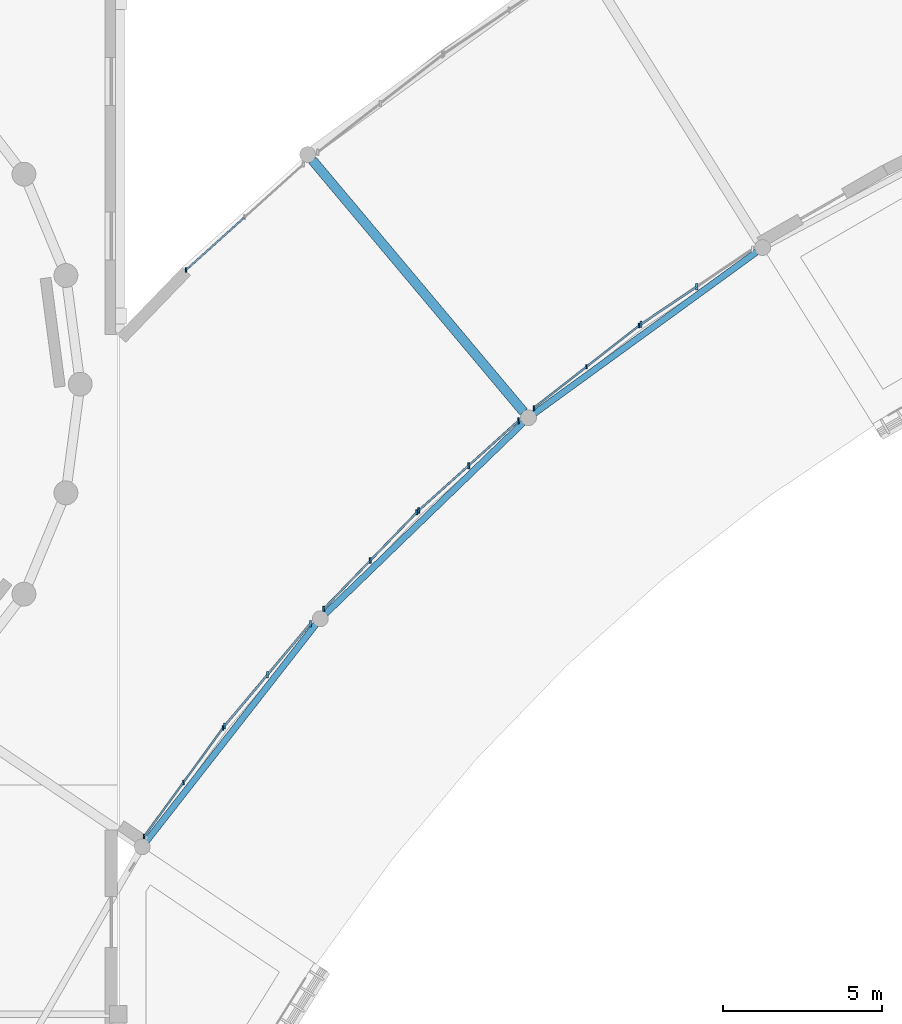
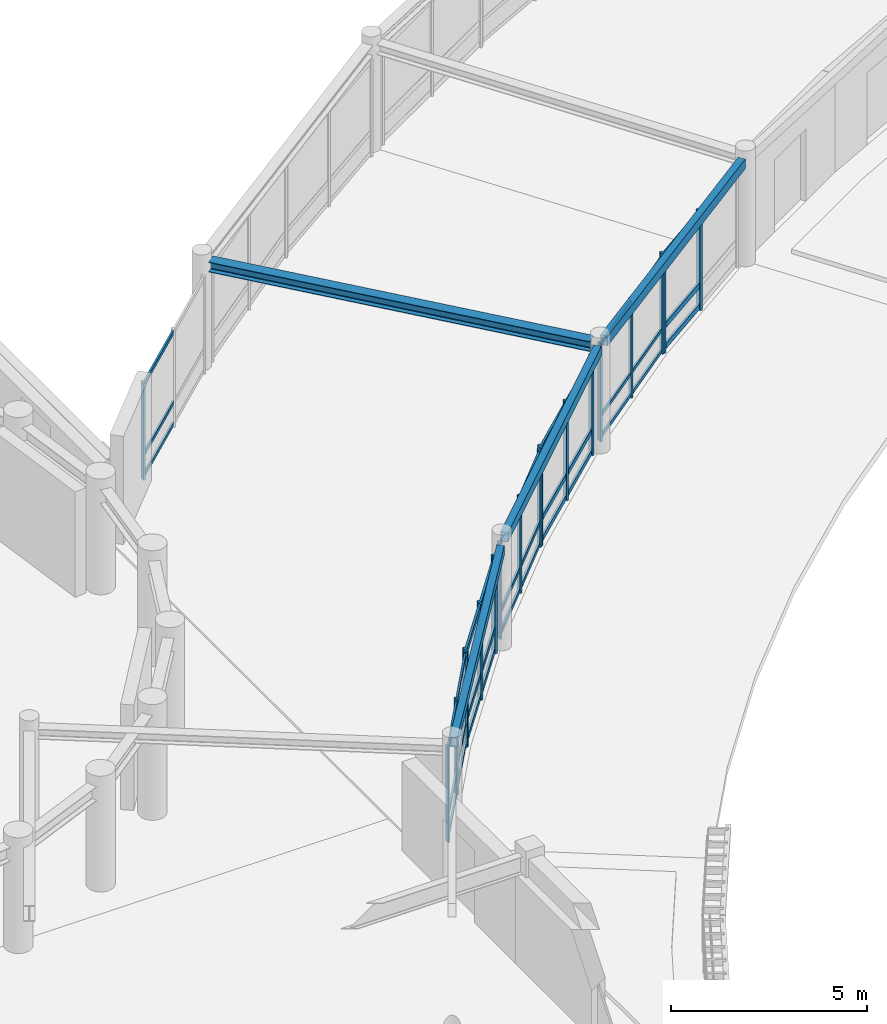
# One storey, part 16 of 74: 54 members, 4 beams, 7 elements without a shape of their own.
"""IFC4 building model written with IfcOpenShell, lengths in metres."""

from ifc_helpers import new_model, si_unit, direction, frame, origin, origin_2d, place, context, subcontext, project, spatial, rectangle, hollow_rectangle, i_section, extrude, material, material_profile, profile_set, type_object, element, aggregate, save


model = new_model("IFC4")

# Units and contexts
model_context = context("Model", 3, precision=1e-05, world=origin(), true_north=direction((0.0, 1.0)))
body_context = subcontext(model_context, "Body", "Model", "MODEL_VIEW")
ifc_project = project(units=[si_unit("LENGTHUNIT", "METRE"), si_unit("AREAUNIT", "SQUARE_METRE"), si_unit("VOLUMEUNIT", "CUBIC_METRE"), si_unit("PLANEANGLEUNIT", "RADIAN"), si_unit("MASSUNIT", "GRAM", prefix="KILO")], contexts=[model_context])

# Site, building, storey
site_placement = place(None, origin())
site = spatial("IfcSite", under=ifc_project, at=site_placement, CompositionType="ELEMENT")
building_placement = place(site_placement, origin())
building = spatial("IfcBuilding", under=site, at=building_placement, Name="Clarverna Civic Hall", CompositionType="ELEMENT")
storey_placement = place(building_placement, frame((0.0, 0.0, 9.60009765625)))
storey = spatial("IfcBuildingStorey", under=building, at=storey_placement, Name="L02", CompositionType="ELEMENT", Elevation=9.60009765625)

# Beams
ifc_material_1 = material(Name="Steel S355", Category="steel")
ifc_material_profile_1 = material_profile(ifc_material_1, hollow_rectangle(XDim=0.199951171875, YDim=0.300048828125, WallThickness=0.010009765625, at=origin_2d()), Name="RHS 300x200x10.0")
ifc_profile_set_1 = profile_set([ifc_material_profile_1], Name="Steel S355")
beam_type_1 = type_object("IfcBeamType", Name="B-ST15", PredefinedType="SPANDREL", material=ifc_profile_set_1)
beam_1_placement = place(storey_placement, frame((117.25927734375, 63.154541015625, 3.2099609375), z_axis=(-0.809029708235, -0.587767752768, 0.0), x_axis=(0.587767752768, -0.809029708235, 0.0)))
element("IfcBeam", 1, at=beam_1_placement, inside=storey, type_object=beam_type_1, Name="B-ST15-022", PredefinedType="SPANDREL", context=body_context, shape_type="SweptSolid", body=[
    extrude(hollow_rectangle(XDim=0.199951171875, YDim=0.300048828125, WallThickness=0.010009765625, at=origin_2d()), origin(), (0.0, 0.0, 1.0), 8.62646484375),
])
for number, where, z_axis, x_axis, name in (
    (2, (109.921142578125, 57.782958984375, 3.2099609375), (-0.719324892672, -0.694673807469, 0.0), (0.694673807469, -0.719324892672, 0.0), "B-ST15-023"),
    (3, (103.40234375, 51.442138671875, 3.1298828125), (-0.61565557557, -0.788015362966, 0.0), (0.788015362966, -0.61565557557, 0.0), "B-ST15-024"),
):
    element("IfcBeam", number, at=place(storey_placement, frame(where, z_axis=z_axis, x_axis=x_axis)), inside=storey, type_object=beam_type_1, Name=name, PredefinedType="SPANDREL", context=body_context, shape_type="SweptSolid", body=[
        extrude(hollow_rectangle(XDim=0.199951171875, YDim=0.300048828125, WallThickness=0.010009765625, at=origin_2d()), origin(), (0.0, 0.0, 1.0), 8.626220703125),
    ])
ifc_material_profile_2 = material_profile(ifc_material_1, i_section(OverallWidth=0.300048828125, OverallDepth=0.31005859375, WebThickness=0.009033203125, FlangeThickness=0.015380859375, FilletRadius=0.027099609375, at=origin_2d()), Name="HEA 320")
ifc_profile_set_2 = profile_set([ifc_material_profile_2], Name="Steel S355")
beam_type_2 = type_object("IfcBeamType", Name="B-ST9", PredefinedType="BEAM", material=ifc_profile_set_2)
beam_2_placement = place(storey_placement, frame((109.939208984375, 58.126220703125, 3.204833984375), z_axis=(-0.642789034818, 0.766043247289, 0.0), x_axis=(-0.766043247289, -0.642789034818, 0.0)))
element("IfcBeam", 4, at=beam_2_placement, inside=storey, type_object=beam_type_2, Name="B-ST9-081", PredefinedType="BEAM", context=body_context, shape_type="SweptSolid", body=[
    extrude(i_section(OverallWidth=0.300048828125, OverallDepth=0.31005859375, WebThickness=0.009033203125, FlangeThickness=0.015380859375, FilletRadius=0.027099609375, at=origin_2d()), origin(), (0.0, 0.0, 1.0), 10.329833984375),
])

# Curtain wall, members
ifc_material_2 = material(Name="Anodised Bronze Architectural Aluminium", Category="aluminium")
curtain_wall_type = type_object("IfcCurtainWallType", Name="CW-03", PredefinedType="USERDEFINED", material=ifc_material_2)
curtain_wall_1_placement = place(storey_placement, origin())
curtain_wall_1 = element("IfcCurtainWall", 5, at=curtain_wall_1_placement, inside=storey, type_object=curtain_wall_type, Name="CW-03-061", ObjectType="UNITISED CURTAIN WALL", PredefinedType="USERDEFINED")
ifc_material_profile_3 = material_profile(ifc_material_2, rectangle(XDim=0.06005859375, YDim=0.179931640625, at=origin_2d()), Name="BRONZE 60x180")
ifc_profile_set_3 = profile_set([ifc_material_profile_3], Name="Anodised Bronze Architectural Aluminium")
member_type_1 = type_object("IfcMemberType", Name="CWM-01", PredefinedType="MULLION", material=ifc_profile_set_3)
member_1_placement = place(storey_placement, frame((109.775634765625, 57.851318359375, 0.0), z_axis=(0.0, 0.0, 1.0), x_axis=(1.0, 0.0, 0.0)))
member_1 = element("IfcMember", 6, at=member_1_placement, type_object=member_type_1, Name="CWM-01-102", PredefinedType="MULLION", context=body_context, shape_type="SweptSolid", body=[
    extrude(rectangle(XDim=0.06005859375, YDim=0.179931640625, at=origin_2d()), origin(), (0.0, 0.0, 1.0), 3.0498046875),
])
member_2_placement = place(storey_placement, frame((108.20751953125, 56.439208984375, 0.0), z_axis=(0.0, 0.0, 1.0), x_axis=(1.0, 0.0, 0.0)))
member_2 = element("IfcMember", 7, at=member_2_placement, type_object=member_type_1, Name="CWM-01-103", PredefinedType="MULLION", context=body_context, shape_type="SweptSolid", body=[
    extrude(rectangle(XDim=0.06005859375, YDim=0.179931640625, at=origin_2d()), origin(), (0.0, 0.0, 1.0), 3.0498046875),
])
member_3_placement = place(storey_placement, frame((106.63916015625, 55.027099609375, 0.0), z_axis=(0.0, 0.0, 1.0), x_axis=(1.0, 0.0, 0.0)))
member_3 = element("IfcMember", 8, at=member_3_placement, type_object=member_type_1, Name="CWM-01-104", PredefinedType="MULLION", context=body_context, shape_type="SweptSolid", body=[
    extrude(rectangle(XDim=0.06005859375, YDim=0.179931640625, at=origin_2d()), origin(), (0.0, 0.0, 1.0), 3.0498046875),
])

curtain_wall_2_placement = place(storey_placement, origin())
curtain_wall_2 = element("IfcCurtainWall", 9, at=curtain_wall_2_placement, inside=storey, type_object=curtain_wall_type, Name="CW-03-062", ObjectType="UNITISED CURTAIN WALL", PredefinedType="USERDEFINED")
ifc_material_profile_4 = material_profile(ifc_material_2, rectangle(XDim=0.06005859375, YDim=0.159912109375, at=origin_2d()), Name="BRONZE 60x160")
ifc_profile_set_4 = profile_set([ifc_material_profile_4], Name="Anodised Bronze Architectural Aluminium")
member_type_2 = type_object("IfcMemberType", Name="CWM-02", PredefinedType="MULLION", material=ifc_profile_set_4)
member_4_placement = place(storey_placement, frame((106.584716796875, 54.974609375, 0.0), z_axis=(0.0, 0.0, 1.0), x_axis=(1.0, 0.0, 0.0)))
member_4 = element("IfcMember", 10, at=member_4_placement, type_object=member_type_2, Name="CWM-02-130", PredefinedType="MULLION", context=body_context, shape_type="SweptSolid", body=[
    extrude(rectangle(XDim=0.06005859375, YDim=0.159912109375, at=origin_2d()), origin(), (0.0, 0.0, 1.0), 2.97998046875),
])
member_5_placement = place(storey_placement, frame((105.1201171875, 53.457763671875, 0.0), z_axis=(0.0, 0.0, 1.0), x_axis=(1.0, 0.0, 0.0)))
member_5 = element("IfcMember", 11, at=member_5_placement, type_object=member_type_2, Name="CWM-02-131", PredefinedType="MULLION", context=body_context, shape_type="SweptSolid", body=[
    extrude(rectangle(XDim=0.06005859375, YDim=0.159912109375, at=origin_2d()), origin(), (0.0, 0.0, 1.0), 2.97998046875),
])
member_6_placement = place(storey_placement, frame((103.6552734375, 51.94091796875, 0.0), z_axis=(0.0, 0.0, 1.0), x_axis=(1.0, 0.0, 0.0)))
member_6 = element("IfcMember", 12, at=member_6_placement, type_object=member_type_2, Name="CWM-02-132", PredefinedType="MULLION", context=body_context, shape_type="SweptSolid", body=[
    extrude(rectangle(XDim=0.06005859375, YDim=0.159912109375, at=origin_2d()), origin(), (0.0, 0.0, 1.0), 2.97998046875),
])

curtain_wall_3_placement = place(storey_placement, origin())
curtain_wall_3 = element("IfcCurtainWall", 13, at=curtain_wall_3_placement, inside=storey, type_object=curtain_wall_type, Name="CW-03-059", ObjectType="UNITISED CURTAIN WALL", PredefinedType="USERDEFINED")
ifc_material_profile_5 = material_profile(ifc_material_2, rectangle(XDim=0.06494140625, YDim=0.199951171875, at=origin_2d()), Name="BRONZE 65x200")
ifc_profile_set_5 = profile_set([ifc_material_profile_5], Name="Anodised Bronze Architectural Aluminium")
member_type_3 = type_object("IfcMemberType", Name="CWM-03", PredefinedType="MULLION", material=ifc_profile_set_5)
member_7_placement = place(storey_placement, frame((115.378662109375, 62.06494140625, 0.0), z_axis=(0.0, 0.0, 1.0), x_axis=(1.0, 0.0, 0.0)))
member_7 = element("IfcMember", 14, at=member_7_placement, type_object=member_type_3, Name="CWM-03-104", PredefinedType="MULLION", context=body_context, shape_type="SweptSolid", body=[
    extrude(rectangle(XDim=0.06494140625, YDim=0.199951171875, at=origin_2d()), origin(), (0.0, 0.0, 1.0), 3.0498046875),
])
member_8_placement = place(storey_placement, frame((113.62548828125, 60.882568359375, 0.0), z_axis=(0.0, 0.0, 1.0), x_axis=(1.0, 0.0, 0.0)))
member_8 = element("IfcMember", 15, at=member_8_placement, type_object=member_type_3, Name="CWM-03-105", PredefinedType="MULLION", context=body_context, shape_type="SweptSolid", body=[
    extrude(rectangle(XDim=0.06494140625, YDim=0.199951171875, at=origin_2d()), origin(), (0.0, 0.0, 1.0), 3.0498046875),
])

curtain_wall_4_placement = place(storey_placement, origin())
curtain_wall_4 = element("IfcCurtainWall", 16, at=curtain_wall_4_placement, inside=storey, type_object=curtain_wall_type, Name="CW-03-063", ObjectType="UNITISED CURTAIN WALL", PredefinedType="USERDEFINED")
member_9_placement = place(storey_placement, frame((103.23583984375, 51.47412109375, 0.0), z_axis=(0.0, 0.0, 1.0), x_axis=(1.0, 0.0, 0.0)))
member_9 = element("IfcMember", 17, at=member_9_placement, type_object=member_type_3, Name="CWM-03-106", PredefinedType="MULLION", context=body_context, shape_type="SweptSolid", body=[
    extrude(rectangle(XDim=0.06494140625, YDim=0.199951171875, at=origin_2d()), origin(), (0.0, 0.0, 1.0), 2.97998046875),
])
member_10_placement = place(storey_placement, frame((101.8857421875, 49.865234375, 0.0), z_axis=(0.0, 0.0, 1.0), x_axis=(1.0, 0.0, 0.0)))
member_10 = element("IfcMember", 18, at=member_10_placement, type_object=member_type_3, Name="CWM-03-107", PredefinedType="MULLION", context=body_context, shape_type="SweptSolid", body=[
    extrude(rectangle(XDim=0.06494140625, YDim=0.199951171875, at=origin_2d()), origin(), (0.0, 0.0, 1.0), 2.97998046875),
])
member_11_placement = place(storey_placement, frame((100.53564453125, 48.25634765625, 0.0), z_axis=(0.0, 0.0, 1.0), x_axis=(1.0, 0.0, 0.0)))
member_11 = element("IfcMember", 19, at=member_11_placement, type_object=member_type_3, Name="CWM-03-108", PredefinedType="MULLION", context=body_context, shape_type="SweptSolid", body=[
    extrude(rectangle(XDim=0.06494140625, YDim=0.199951171875, at=origin_2d()), origin(), (0.0, 0.0, 1.0), 2.97998046875),
])

# Curtain wall, member
curtain_wall_5_placement = place(storey_placement, origin())
curtain_wall_5 = element("IfcCurtainWall", 20, at=curtain_wall_5_placement, inside=storey, type_object=curtain_wall_type, Name="CW-03-048", ObjectType="UNITISED CURTAIN WALL", PredefinedType="USERDEFINED")
ifc_material_profile_6 = material_profile(ifc_material_2, rectangle(XDim=0.054931640625, YDim=0.139892578125, at=origin_2d()), Name="BRONZE 55x140")
ifc_profile_set_6 = profile_set([ifc_material_profile_6], Name="Anodised Bronze Architectural Aluminium")
member_type_4 = type_object("IfcMemberType", Name="CWM-04", PredefinedType="MULLION", material=ifc_profile_set_6)
member_12_placement = place(storey_placement, frame((99.32421875, 62.587890625, 0.0), z_axis=(0.0, 0.0, 1.0), x_axis=(1.0, 0.0, 0.0)))
member_12 = element("IfcMember", 21, at=member_12_placement, type_object=member_type_4, Name="CWM-04-122", PredefinedType="MULLION", context=body_context, shape_type="SweptSolid", body=[
    extrude(rectangle(XDim=0.054931640625, YDim=0.139892578125, at=origin_2d()), origin(), (0.0, 0.0, 1.0), 3.02978515625),
])

# Curtain wall, members
curtain_wall_6_placement = place(storey_placement, origin())
curtain_wall_6 = element("IfcCurtainWall", 22, at=curtain_wall_6_placement, inside=storey, type_object=curtain_wall_type, Name="CW-03-060", ObjectType="UNITISED CURTAIN WALL", PredefinedType="USERDEFINED")
member_13_placement = place(storey_placement, frame((113.564208984375, 60.837890625, 0.0), z_axis=(0.0, 0.0, 1.0), x_axis=(1.0, 0.0, 0.0)))
member_13 = element("IfcMember", 23, at=member_13_placement, type_object=member_type_4, Name="CWM-04-131", PredefinedType="MULLION", context=body_context, shape_type="SweptSolid", body=[
    extrude(rectangle(XDim=0.054931640625, YDim=0.139892578125, at=origin_2d()), origin(), (0.0, 0.0, 1.0), 3.0498046875),
])
member_14_placement = place(storey_placement, frame((111.912109375, 59.547119140625, 0.0), z_axis=(0.0, 0.0, 1.0), x_axis=(1.0, 0.0, 0.0)))
member_14 = element("IfcMember", 24, at=member_14_placement, type_object=member_type_4, Name="CWM-04-132", PredefinedType="MULLION", context=body_context, shape_type="SweptSolid", body=[
    extrude(rectangle(XDim=0.054931640625, YDim=0.139892578125, at=origin_2d()), origin(), (0.0, 0.0, 1.0), 3.0498046875),
])
member_15_placement = place(storey_placement, frame((110.260009765625, 58.25634765625, 0.0), z_axis=(0.0, 0.0, 1.0), x_axis=(1.0, 0.0, 0.0)))
member_15 = element("IfcMember", 25, at=member_15_placement, type_object=member_type_4, Name="CWM-04-133", PredefinedType="MULLION", context=body_context, shape_type="SweptSolid", body=[
    extrude(rectangle(XDim=0.054931640625, YDim=0.139892578125, at=origin_2d()), origin(), (0.0, 0.0, 1.0), 3.0498046875),
])

curtain_wall_7_placement = place(storey_placement, origin())
curtain_wall_7 = element("IfcCurtainWall", 26, at=curtain_wall_7_placement, inside=storey, type_object=curtain_wall_type, Name="CW-03-064", ObjectType="UNITISED CURTAIN WALL", PredefinedType="USERDEFINED")
member_16_placement = place(storey_placement, frame((100.489013671875, 48.19677734375, 0.0), z_axis=(0.0, 0.0, 1.0), x_axis=(1.0, 0.0, 0.0)))
member_16 = element("IfcMember", 27, at=member_16_placement, type_object=member_type_4, Name="CWM-04-134", PredefinedType="MULLION", context=body_context, shape_type="SweptSolid", body=[
    extrude(rectangle(XDim=0.054931640625, YDim=0.139892578125, at=origin_2d()), origin(), (0.0, 0.0, 1.0), 2.969970703125),
])
member_17_placement = place(storey_placement, frame((99.246337890625, 46.486328125, 0.0), z_axis=(0.0, 0.0, 1.0), x_axis=(1.0, 0.0, 0.0)))
member_17 = element("IfcMember", 28, at=member_17_placement, type_object=member_type_4, Name="CWM-04-135", PredefinedType="MULLION", context=body_context, shape_type="SweptSolid", body=[
    extrude(rectangle(XDim=0.054931640625, YDim=0.139892578125, at=origin_2d()), origin(), (0.0, 0.0, 1.0), 2.969970703125),
])
member_18_placement = place(storey_placement, frame((98.00390625, 44.776123046875, 0.0), z_axis=(0.0, 0.0, 1.0), x_axis=(1.0, 0.0, 0.0)))
member_18 = element("IfcMember", 29, at=member_18_placement, type_object=member_type_4, Name="CWM-04-136", PredefinedType="MULLION", context=body_context, shape_type="SweptSolid", body=[
    extrude(rectangle(XDim=0.054931640625, YDim=0.139892578125, at=origin_2d()), origin(), (0.0, 0.0, 1.0), 2.969970703125),
])

# Member
ifc_material_profile_7 = material_profile(ifc_material_2, rectangle(XDim=0.06005859375, YDim=0.14990234375, at=origin_2d()), Name="BRONZE 60x150")
ifc_profile_set_7 = profile_set([ifc_material_profile_7], Name="Anodised Bronze Architectural Aluminium")
member_type_5 = type_object("IfcMemberType", Name="CWT-01", PredefinedType="USERDEFINED", material=ifc_profile_set_7)
member_19_placement = place(storey_placement, frame((109.7646484375, 57.84130859375, 0.094970703125), z_axis=(-0.743159927566, -0.669113833409, 0.0), x_axis=(0.669113833409, -0.743159927566, 0.0)))
member_19 = element("IfcMember", 30, at=member_19_placement, type_object=member_type_5, Name="CWT-01-214", ObjectType="TRANSOM", PredefinedType="USERDEFINED", context=body_context, shape_type="SweptSolid", body=[
    extrude(rectangle(XDim=0.06005859375, YDim=0.14990234375, at=origin_2d()), origin(), (0.0, 0.0, 1.0), 2.08056640625),
])

member_20_placement = place(storey_placement, frame((109.7646484375, 57.84130859375, 0.75), z_axis=(-0.743159927566, -0.669113833409, 0.0), x_axis=(0.669113833409, -0.743159927566, 0.0)))
member_20 = element("IfcMember", 31, at=member_20_placement, type_object=member_type_5, Name="CWT-01-215", ObjectType="TRANSOM", PredefinedType="USERDEFINED", context=body_context, shape_type="SweptSolid", body=[
    extrude(rectangle(XDim=0.06005859375, YDim=0.14990234375, at=origin_2d()), origin(), (0.0, 0.0, 1.0), 2.08056640625),
])

member_21_placement = place(storey_placement, frame((109.7646484375, 57.84130859375, 2.954833984375), z_axis=(-0.743159927566, -0.669113833409, 0.0), x_axis=(0.669113833409, -0.743159927566, 0.0)))
member_21 = element("IfcMember", 32, at=member_21_placement, type_object=member_type_5, Name="CWT-01-216", ObjectType="TRANSOM", PredefinedType="USERDEFINED", context=body_context, shape_type="SweptSolid", body=[
    extrude(rectangle(XDim=0.06005859375, YDim=0.14990234375, at=origin_2d()), origin(), (0.0, 0.0, 1.0), 2.08056640625),
])

member_22_placement = place(storey_placement, frame((108.1962890625, 56.42919921875, 0.094970703125), z_axis=(-0.743159927566, -0.669113833409, 0.0), x_axis=(0.669113833409, -0.743159927566, 0.0)))
member_22 = element("IfcMember", 33, at=member_22_placement, type_object=member_type_5, Name="CWT-01-217", ObjectType="TRANSOM", PredefinedType="USERDEFINED", context=body_context, shape_type="SweptSolid", body=[
    extrude(rectangle(XDim=0.06005859375, YDim=0.14990234375, at=origin_2d()), origin(), (0.0, 0.0, 1.0), 2.08056640625),
])

member_23_placement = place(storey_placement, frame((108.1962890625, 56.42919921875, 0.75), z_axis=(-0.743159927566, -0.669113833409, 0.0), x_axis=(0.669113833409, -0.743159927566, 0.0)))
member_23 = element("IfcMember", 34, at=member_23_placement, type_object=member_type_5, Name="CWT-01-218", ObjectType="TRANSOM", PredefinedType="USERDEFINED", context=body_context, shape_type="SweptSolid", body=[
    extrude(rectangle(XDim=0.06005859375, YDim=0.14990234375, at=origin_2d()), origin(), (0.0, 0.0, 1.0), 2.08056640625),
])

member_24_placement = place(storey_placement, frame((108.1962890625, 56.42919921875, 2.954833984375), z_axis=(-0.743159927566, -0.669113833409, 0.0), x_axis=(0.669113833409, -0.743159927566, 0.0)))
member_24 = element("IfcMember", 35, at=member_24_placement, type_object=member_type_5, Name="CWT-01-219", ObjectType="TRANSOM", PredefinedType="USERDEFINED", context=body_context, shape_type="SweptSolid", body=[
    extrude(rectangle(XDim=0.06005859375, YDim=0.14990234375, at=origin_2d()), origin(), (0.0, 0.0, 1.0), 2.08056640625),
])

aggregate(curtain_wall_1, [member_1, member_2, member_3, member_19, member_20, member_21, member_22, member_23, member_24])

ifc_material_profile_8 = material_profile(ifc_material_2, rectangle(XDim=0.06005859375, YDim=0.1298828125, at=origin_2d()), Name="BRONZE 60x130")
ifc_profile_set_8 = profile_set([ifc_material_profile_8], Name="Anodised Bronze Architectural Aluminium")
member_type_6 = type_object("IfcMemberType", Name="CWT-02", PredefinedType="USERDEFINED", material=ifc_profile_set_8)
member_25_placement = place(storey_placement, frame((106.57421875, 54.9638671875, 0.094970703125), z_axis=(-0.694607089919, -0.719389317848, 0.0), x_axis=(0.719389317848, -0.694607089919, 0.0)))
member_25 = element("IfcMember", 36, at=member_25_placement, type_object=member_type_6, Name="CWT-02-271", ObjectType="TRANSOM", PredefinedType="USERDEFINED", context=body_context, shape_type="SweptSolid", body=[
    extrude(rectangle(XDim=0.06005859375, YDim=0.1298828125, at=origin_2d()), origin(), (0.0, 0.0, 1.0), 2.07861328125),
])

member_26_placement = place(storey_placement, frame((106.57421875, 54.9638671875, 0.75), z_axis=(-0.694607089919, -0.719389317848, 0.0), x_axis=(0.719389317848, -0.694607089919, 0.0)))
member_26 = element("IfcMember", 37, at=member_26_placement, type_object=member_type_6, Name="CWT-02-272", ObjectType="TRANSOM", PredefinedType="USERDEFINED", context=body_context, shape_type="SweptSolid", body=[
    extrude(rectangle(XDim=0.06005859375, YDim=0.1298828125, at=origin_2d()), origin(), (0.0, 0.0, 1.0), 2.07861328125),
])

member_27_placement = place(storey_placement, frame((106.57421875, 54.9638671875, 2.885009765625), z_axis=(-0.694607089919, -0.719389317848, 0.0), x_axis=(0.719389317848, -0.694607089919, 0.0)))
member_27 = element("IfcMember", 38, at=member_27_placement, type_object=member_type_6, Name="CWT-02-273", ObjectType="TRANSOM", PredefinedType="USERDEFINED", context=body_context, shape_type="SweptSolid", body=[
    extrude(rectangle(XDim=0.06005859375, YDim=0.1298828125, at=origin_2d()), origin(), (0.0, 0.0, 1.0), 2.07861328125),
])

member_28_placement = place(storey_placement, frame((105.109619140625, 53.447021484375, 0.094970703125), z_axis=(-0.694665782158, -0.71933264287, 0.0), x_axis=(0.71933264287, -0.694665782158, 0.0)))
member_28 = element("IfcMember", 39, at=member_28_placement, type_object=member_type_6, Name="CWT-02-274", ObjectType="TRANSOM", PredefinedType="USERDEFINED", context=body_context, shape_type="SweptSolid", body=[
    extrude(rectangle(XDim=0.06005859375, YDim=0.1298828125, at=origin_2d()), origin(), (0.0, 0.0, 1.0), 2.078369140625),
])

member_29_placement = place(storey_placement, frame((105.109619140625, 53.447021484375, 0.75), z_axis=(-0.694665782158, -0.71933264287, 0.0), x_axis=(0.71933264287, -0.694665782158, 0.0)))
member_29 = element("IfcMember", 40, at=member_29_placement, type_object=member_type_6, Name="CWT-02-275", ObjectType="TRANSOM", PredefinedType="USERDEFINED", context=body_context, shape_type="SweptSolid", body=[
    extrude(rectangle(XDim=0.06005859375, YDim=0.1298828125, at=origin_2d()), origin(), (0.0, 0.0, 1.0), 2.078369140625),
])

member_30_placement = place(storey_placement, frame((105.109619140625, 53.447021484375, 2.885009765625), z_axis=(-0.694665782158, -0.71933264287, 0.0), x_axis=(0.71933264287, -0.694665782158, 0.0)))
member_30 = element("IfcMember", 41, at=member_30_placement, type_object=member_type_6, Name="CWT-02-276", ObjectType="TRANSOM", PredefinedType="USERDEFINED", context=body_context, shape_type="SweptSolid", body=[
    extrude(rectangle(XDim=0.06005859375, YDim=0.1298828125, at=origin_2d()), origin(), (0.0, 0.0, 1.0), 2.078369140625),
])

aggregate(curtain_wall_2, [member_4, member_5, member_6, member_25, member_26, member_27, member_28, member_29, member_30])

ifc_material_profile_9 = material_profile(ifc_material_2, rectangle(XDim=0.06494140625, YDim=0.169921875, at=origin_2d()), Name="BRONZE 65x170")
ifc_profile_set_9 = profile_set([ifc_material_profile_9], Name="Anodised Bronze Architectural Aluminium")
member_type_7 = type_object("IfcMemberType", Name="CWT-03", PredefinedType="USERDEFINED", material=ifc_profile_set_9)
member_31_placement = place(storey_placement, frame((115.3662109375, 62.056640625, 0.094970703125), z_axis=(-0.829029200172, -0.559205315839, 0.0), x_axis=(0.559205315839, -0.829029200172, 0.0)))
member_31 = element("IfcMember", 42, at=member_31_placement, type_object=member_type_7, Name="CWT-03-220", ObjectType="TRANSOM", PredefinedType="USERDEFINED", context=body_context, shape_type="SweptSolid", body=[
    extrude(rectangle(XDim=0.06494140625, YDim=0.169921875, at=origin_2d()), origin(), (0.0, 0.0, 1.0), 2.084716796875),
])

member_32_placement = place(storey_placement, frame((115.3662109375, 62.056640625, 0.75), z_axis=(-0.829029200172, -0.559205315839, 0.0), x_axis=(0.559205315839, -0.829029200172, 0.0)))
member_32 = element("IfcMember", 43, at=member_32_placement, type_object=member_type_7, Name="CWT-03-221", ObjectType="TRANSOM", PredefinedType="USERDEFINED", context=body_context, shape_type="SweptSolid", body=[
    extrude(rectangle(XDim=0.06494140625, YDim=0.169921875, at=origin_2d()), origin(), (0.0, 0.0, 1.0), 2.084716796875),
])

member_33_placement = place(storey_placement, frame((115.3662109375, 62.056640625, 2.954833984375), z_axis=(-0.829029200172, -0.559205315839, 0.0), x_axis=(0.559205315839, -0.829029200172, 0.0)))
member_33 = element("IfcMember", 44, at=member_33_placement, type_object=member_type_7, Name="CWT-03-222", ObjectType="TRANSOM", PredefinedType="USERDEFINED", context=body_context, shape_type="SweptSolid", body=[
    extrude(rectangle(XDim=0.06494140625, YDim=0.169921875, at=origin_2d()), origin(), (0.0, 0.0, 1.0), 2.084716796875),
])

aggregate(curtain_wall_3, [member_7, member_8, member_31, member_32, member_33])

member_34_placement = place(storey_placement, frame((103.226318359375, 51.462646484375, 0.094970703125), z_axis=(-0.642802058344, -0.766032319024, 0.0), x_axis=(0.766032319024, -0.642802058344, 0.0)))
member_34 = element("IfcMember", 45, at=member_34_placement, type_object=member_type_7, Name="CWT-03-223", ObjectType="TRANSOM", PredefinedType="USERDEFINED", context=body_context, shape_type="SweptSolid", body=[
    extrude(rectangle(XDim=0.06494140625, YDim=0.169921875, at=origin_2d()), origin(), (0.0, 0.0, 1.0), 2.0703125),
])

member_35_placement = place(storey_placement, frame((103.226318359375, 51.462646484375, 0.75), z_axis=(-0.642802058344, -0.766032319024, 0.0), x_axis=(0.766032319024, -0.642802058344, 0.0)))
member_35 = element("IfcMember", 46, at=member_35_placement, type_object=member_type_7, Name="CWT-03-224", ObjectType="TRANSOM", PredefinedType="USERDEFINED", context=body_context, shape_type="SweptSolid", body=[
    extrude(rectangle(XDim=0.06494140625, YDim=0.169921875, at=origin_2d()), origin(), (0.0, 0.0, 1.0), 2.0703125),
])

member_36_placement = place(storey_placement, frame((103.226318359375, 51.462646484375, 2.885009765625), z_axis=(-0.642802058344, -0.766032319024, 0.0), x_axis=(0.766032319024, -0.642802058344, 0.0)))
member_36 = element("IfcMember", 47, at=member_36_placement, type_object=member_type_7, Name="CWT-03-225", ObjectType="TRANSOM", PredefinedType="USERDEFINED", context=body_context, shape_type="SweptSolid", body=[
    extrude(rectangle(XDim=0.06494140625, YDim=0.169921875, at=origin_2d()), origin(), (0.0, 0.0, 1.0), 2.0703125),
])

member_37_placement = place(storey_placement, frame((101.876220703125, 49.853759765625, 0.094970703125), z_axis=(-0.642802058344, -0.766032319024, 0.0), x_axis=(0.766032319024, -0.642802058344, 0.0)))
member_37 = element("IfcMember", 48, at=member_37_placement, type_object=member_type_7, Name="CWT-03-226", ObjectType="TRANSOM", PredefinedType="USERDEFINED", context=body_context, shape_type="SweptSolid", body=[
    extrude(rectangle(XDim=0.06494140625, YDim=0.169921875, at=origin_2d()), origin(), (0.0, 0.0, 1.0), 2.0703125),
])

member_38_placement = place(storey_placement, frame((101.876220703125, 49.853759765625, 0.75), z_axis=(-0.642802058344, -0.766032319024, 0.0), x_axis=(0.766032319024, -0.642802058344, 0.0)))
member_38 = element("IfcMember", 49, at=member_38_placement, type_object=member_type_7, Name="CWT-03-227", ObjectType="TRANSOM", PredefinedType="USERDEFINED", context=body_context, shape_type="SweptSolid", body=[
    extrude(rectangle(XDim=0.06494140625, YDim=0.169921875, at=origin_2d()), origin(), (0.0, 0.0, 1.0), 2.0703125),
])

member_39_placement = place(storey_placement, frame((101.876220703125, 49.853759765625, 2.885009765625), z_axis=(-0.642802058344, -0.766032319024, 0.0), x_axis=(0.766032319024, -0.642802058344, 0.0)))
member_39 = element("IfcMember", 50, at=member_39_placement, type_object=member_type_7, Name="CWT-03-228", ObjectType="TRANSOM", PredefinedType="USERDEFINED", context=body_context, shape_type="SweptSolid", body=[
    extrude(rectangle(XDim=0.06494140625, YDim=0.169921875, at=origin_2d()), origin(), (0.0, 0.0, 1.0), 2.0703125),
])

aggregate(curtain_wall_4, [member_9, member_10, member_11, member_34, member_35, member_36, member_37, member_38, member_39])

ifc_material_profile_10 = material_profile(ifc_material_2, rectangle(XDim=0.054931640625, YDim=0.110107421875, at=origin_2d()), Name="BRONZE 55x110")
ifc_profile_set_10 = profile_set([ifc_material_profile_10], Name="Anodised Bronze Architectural Aluminium")
member_type_8 = type_object("IfcMemberType", Name="CWT-04", PredefinedType="USERDEFINED", material=ifc_profile_set_10)
member_40_placement = place(storey_placement, frame((99.335205078125, 62.597900390625, 0.094970703125), z_axis=(0.743150461757, 0.669124346583, 0.0), x_axis=(-0.669124346583, 0.743150461757, 0.0)))
member_40 = element("IfcMember", 51, at=member_40_placement, type_object=member_type_8, Name="CWT-04-256", ObjectType="TRANSOM", PredefinedType="USERDEFINED", context=body_context, shape_type="SweptSolid", body=[
    extrude(rectangle(XDim=0.054931640625, YDim=0.110107421875, at=origin_2d()), origin(), (0.0, 0.0, 1.0), 2.450439453125),
])

member_41_placement = place(storey_placement, frame((99.335205078125, 62.597900390625, 0.75), z_axis=(0.743150461757, 0.669124346583, 0.0), x_axis=(-0.669124346583, 0.743150461757, 0.0)))
member_41 = element("IfcMember", 52, at=member_41_placement, type_object=member_type_8, Name="CWT-04-257", ObjectType="TRANSOM", PredefinedType="USERDEFINED", context=body_context, shape_type="SweptSolid", body=[
    extrude(rectangle(XDim=0.054931640625, YDim=0.110107421875, at=origin_2d()), origin(), (0.0, 0.0, 1.0), 2.450439453125),
])

member_42_placement = place(storey_placement, frame((99.335205078125, 62.597900390625, 2.934814453125), z_axis=(0.743150461757, 0.669124346583, 0.0), x_axis=(-0.669124346583, 0.743150461757, 0.0)))
member_42 = element("IfcMember", 53, at=member_42_placement, type_object=member_type_8, Name="CWT-04-258", ObjectType="TRANSOM", PredefinedType="USERDEFINED", context=body_context, shape_type="SweptSolid", body=[
    extrude(rectangle(XDim=0.054931640625, YDim=0.110107421875, at=origin_2d()), origin(), (0.0, 0.0, 1.0), 2.450439453125),
])

aggregate(curtain_wall_5, [member_12, member_40, member_41, member_42])

member_43_placement = place(storey_placement, frame((113.552490234375, 60.82861328125, 0.094970703125), z_axis=(-0.788065564503, -0.61559131414, 0.0), x_axis=(0.61559131414, -0.788065564503, 0.0)))
member_43 = element("IfcMember", 54, at=member_43_placement, type_object=member_type_8, Name="CWT-04-274", ObjectType="TRANSOM", PredefinedType="USERDEFINED", context=body_context, shape_type="SweptSolid", body=[
    extrude(rectangle(XDim=0.054931640625, YDim=0.110107421875, at=origin_2d()), origin(), (0.0, 0.0, 1.0), 2.066650390625),
])

member_44_placement = place(storey_placement, frame((113.552490234375, 60.82861328125, 0.75), z_axis=(-0.788065564503, -0.61559131414, 0.0), x_axis=(0.61559131414, -0.788065564503, 0.0)))
member_44 = element("IfcMember", 55, at=member_44_placement, type_object=member_type_8, Name="CWT-04-275", ObjectType="TRANSOM", PredefinedType="USERDEFINED", context=body_context, shape_type="SweptSolid", body=[
    extrude(rectangle(XDim=0.054931640625, YDim=0.110107421875, at=origin_2d()), origin(), (0.0, 0.0, 1.0), 2.066650390625),
])

member_45_placement = place(storey_placement, frame((113.552490234375, 60.82861328125, 2.954833984375), z_axis=(-0.788065564503, -0.61559131414, 0.0), x_axis=(0.61559131414, -0.788065564503, 0.0)))
member_45 = element("IfcMember", 56, at=member_45_placement, type_object=member_type_8, Name="CWT-04-276", ObjectType="TRANSOM", PredefinedType="USERDEFINED", context=body_context, shape_type="SweptSolid", body=[
    extrude(rectangle(XDim=0.054931640625, YDim=0.110107421875, at=origin_2d()), origin(), (0.0, 0.0, 1.0), 2.066650390625),
])

member_46_placement = place(storey_placement, frame((111.900390625, 59.537841796875, 0.094970703125), z_axis=(-0.788065564503, -0.61559131414, 0.0), x_axis=(0.61559131414, -0.788065564503, 0.0)))
member_46 = element("IfcMember", 57, at=member_46_placement, type_object=member_type_8, Name="CWT-04-277", ObjectType="TRANSOM", PredefinedType="USERDEFINED", context=body_context, shape_type="SweptSolid", body=[
    extrude(rectangle(XDim=0.054931640625, YDim=0.110107421875, at=origin_2d()), origin(), (0.0, 0.0, 1.0), 2.066650390625),
])

member_47_placement = place(storey_placement, frame((111.900390625, 59.537841796875, 0.75), z_axis=(-0.788065564503, -0.61559131414, 0.0), x_axis=(0.61559131414, -0.788065564503, 0.0)))
member_47 = element("IfcMember", 58, at=member_47_placement, type_object=member_type_8, Name="CWT-04-278", ObjectType="TRANSOM", PredefinedType="USERDEFINED", context=body_context, shape_type="SweptSolid", body=[
    extrude(rectangle(XDim=0.054931640625, YDim=0.110107421875, at=origin_2d()), origin(), (0.0, 0.0, 1.0), 2.066650390625),
])

member_48_placement = place(storey_placement, frame((111.900390625, 59.537841796875, 2.954833984375), z_axis=(-0.788065564503, -0.61559131414, 0.0), x_axis=(0.61559131414, -0.788065564503, 0.0)))
member_48 = element("IfcMember", 59, at=member_48_placement, type_object=member_type_8, Name="CWT-04-279", ObjectType="TRANSOM", PredefinedType="USERDEFINED", context=body_context, shape_type="SweptSolid", body=[
    extrude(rectangle(XDim=0.054931640625, YDim=0.110107421875, at=origin_2d()), origin(), (0.0, 0.0, 1.0), 2.066650390625),
])

aggregate(curtain_wall_6, [member_13, member_14, member_15, member_43, member_44, member_45, member_46, member_47, member_48])

member_49_placement = place(storey_placement, frame((100.480224609375, 48.1845703125, 0.094970703125), z_axis=(-0.587823380282, -0.808989291396, 0.0), x_axis=(0.808989291396, -0.587823380282, 0.0)))
member_49 = element("IfcMember", 60, at=member_49_placement, type_object=member_type_8, Name="CWT-04-280", ObjectType="TRANSOM", PredefinedType="USERDEFINED", context=body_context, shape_type="SweptSolid", body=[
    extrude(rectangle(XDim=0.054931640625, YDim=0.110107421875, at=origin_2d()), origin(), (0.0, 0.0, 1.0), 2.084228515625),
])

member_50_placement = place(storey_placement, frame((100.480224609375, 48.1845703125, 0.75), z_axis=(-0.587823380282, -0.808989291396, 0.0), x_axis=(0.808989291396, -0.587823380282, 0.0)))
member_50 = element("IfcMember", 61, at=member_50_placement, type_object=member_type_8, Name="CWT-04-281", ObjectType="TRANSOM", PredefinedType="USERDEFINED", context=body_context, shape_type="SweptSolid", body=[
    extrude(rectangle(XDim=0.054931640625, YDim=0.110107421875, at=origin_2d()), origin(), (0.0, 0.0, 1.0), 2.084228515625),
])

member_51_placement = place(storey_placement, frame((100.480224609375, 48.1845703125, 2.875), z_axis=(-0.587823380282, -0.808989291396, 0.0), x_axis=(0.808989291396, -0.587823380282, 0.0)))
member_51 = element("IfcMember", 62, at=member_51_placement, type_object=member_type_8, Name="CWT-04-282", ObjectType="TRANSOM", PredefinedType="USERDEFINED", context=body_context, shape_type="SweptSolid", body=[
    extrude(rectangle(XDim=0.054931640625, YDim=0.110107421875, at=origin_2d()), origin(), (0.0, 0.0, 1.0), 2.084228515625),
])

member_52_placement = place(storey_placement, frame((99.237548828125, 46.474365234375, 0.094970703125), z_axis=(-0.587691003537, -0.809085461717, 0.0), x_axis=(0.809085461717, -0.587691003537, 0.0)))
member_52 = element("IfcMember", 63, at=member_52_placement, type_object=member_type_8, Name="CWT-04-283", ObjectType="TRANSOM", PredefinedType="USERDEFINED", context=body_context, shape_type="SweptSolid", body=[
    extrude(rectangle(XDim=0.054931640625, YDim=0.110107421875, at=origin_2d()), origin(), (0.0, 0.0, 1.0), 2.084228515625),
])

member_53_placement = place(storey_placement, frame((99.237548828125, 46.474365234375, 0.75), z_axis=(-0.587691003537, -0.809085461717, 0.0), x_axis=(0.809085461717, -0.587691003537, 0.0)))
member_53 = element("IfcMember", 64, at=member_53_placement, type_object=member_type_8, Name="CWT-04-284", ObjectType="TRANSOM", PredefinedType="USERDEFINED", context=body_context, shape_type="SweptSolid", body=[
    extrude(rectangle(XDim=0.054931640625, YDim=0.110107421875, at=origin_2d()), origin(), (0.0, 0.0, 1.0), 2.084228515625),
])

member_54_placement = place(storey_placement, frame((99.237548828125, 46.474365234375, 2.875), z_axis=(-0.587691003537, -0.809085461717, 0.0), x_axis=(0.809085461717, -0.587691003537, 0.0)))
member_54 = element("IfcMember", 65, at=member_54_placement, type_object=member_type_8, Name="CWT-04-285", ObjectType="TRANSOM", PredefinedType="USERDEFINED", context=body_context, shape_type="SweptSolid", body=[
    extrude(rectangle(XDim=0.054931640625, YDim=0.110107421875, at=origin_2d()), origin(), (0.0, 0.0, 1.0), 2.084228515625),
])

aggregate(curtain_wall_7, [member_16, member_17, member_18, member_49, member_50, member_51, member_52, member_53, member_54])

save(model, "model.ifc")
